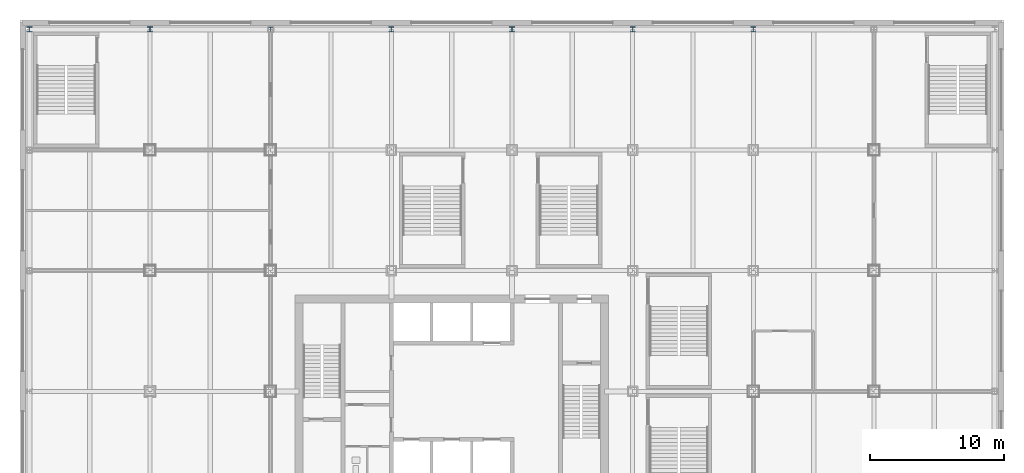
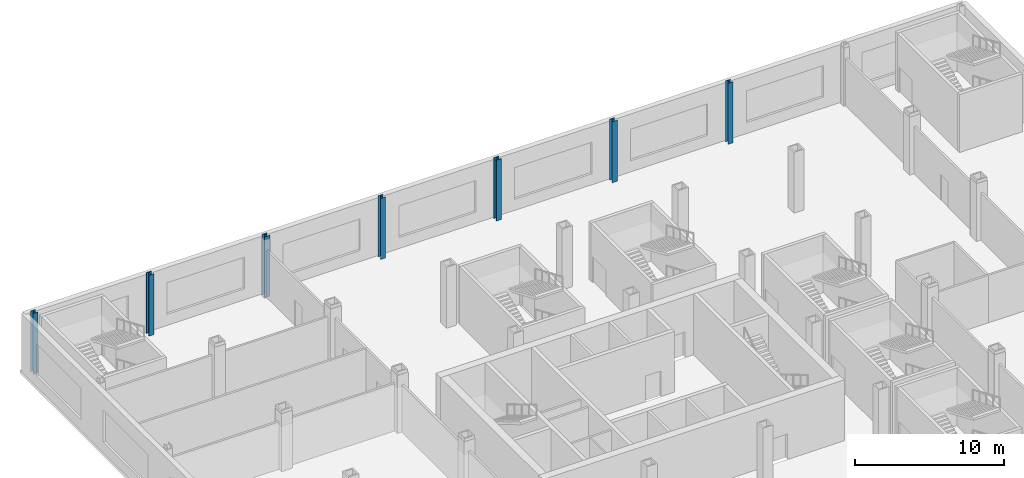
# One storey, part 7 of 28: 7 columns.
"""IFC4 building model written with IfcOpenShell, lengths in metres."""

from ifc_helpers import new_model, si_unit, direction, frame, origin, origin_2d, place, context, subcontext, project, spatial, i_section, extrude, material, material_profile, profile_set, type_object, element, save


model = new_model("IFC4")

# Units and contexts
model_context = context("Model", 3, precision=1e-05, world=origin(), true_north=direction((0.0, 1.0)))
body_context = subcontext(model_context, "Body", "Model", "MODEL_VIEW")
ifc_project = project(units=[si_unit("LENGTHUNIT", "METRE"), si_unit("AREAUNIT", "SQUARE_METRE"), si_unit("VOLUMEUNIT", "CUBIC_METRE"), si_unit("PLANEANGLEUNIT", "RADIAN"), si_unit("MASSUNIT", "GRAM", prefix="KILO")], contexts=[model_context])

# Site, building, storey
site_placement = place(None, origin())
site = spatial("IfcSite", under=ifc_project, at=site_placement, CompositionType="ELEMENT")
building_placement = place(site_placement, origin())
building = spatial("IfcBuilding", under=site, at=building_placement, Name="Loomwork Tower", CompositionType="ELEMENT")
storey_placement = place(building_placement, frame((0.0, 0.0, 6.0)))
storey = spatial("IfcBuildingStorey", under=building, at=storey_placement, Name="L01", CompositionType="ELEMENT", Elevation=6.0)

# Columns
ifc_material = material(Name="Steel ASTM A992", Category="steel")
ifc_material_profile = material_profile(ifc_material, i_section(OverallWidth=0.393798828125, OverallDepth=0.3759765625, WebThickness=0.017333984375, FlangeThickness=0.027587890625, at=origin_2d()), Name="W14x145")
ifc_profile_set = profile_set([ifc_material_profile], Name="Steel ASTM A992")
column_type = type_object("IfcColumnType", Name="PODIUM COLUMN W14x145", PredefinedType="COLUMN", material=ifc_profile_set)
for number, where, z_axis, x_axis, name in (
    (1, (-9.0, 45.0, 0.0), (0.0, 0.0, 1.0), (1.0, 0.0, 0.0), "Podium Column J/1 L01"),
    (2, (0.0, 45.0, 0.0), (0.0, 0.0, 1.0), (1.0, 0.0, 0.0), "Podium Column J/2 L01"),
    (3, (9.0, 45.0, 0.0), (0.0, 0.0, 1.0), (1.0, 0.0, 0.0), "Podium Column J/3 L01"),
    (4, (18.0, 45.0, 0.0), (0.0, 0.0, 1.0), (1.0, 0.0, 0.0), "Podium Column J/4 L01"),
    (5, (27.0, 45.0, 0.0), (0.0, 0.0, 1.0), (1.0, 0.0, 0.0), "Podium Column J/5 L01"),
    (6, (36.0, 45.0, 0.0), (0.0, 0.0, 1.0), (1.0, 0.0, 0.0), "Podium Column J/6 L01"),
    (7, (45.0, 45.0, 0.0), (0.0, 0.0, 1.0), (1.0, 0.0, 0.0), "Podium Column J/7 L01"),
):
    element("IfcColumn", number, at=place(storey_placement, frame(where, z_axis=z_axis, x_axis=x_axis)), inside=storey, type_object=column_type, Name=name, PredefinedType="COLUMN", context=body_context, shape_type="SweptSolid", body=[
        extrude(i_section(OverallWidth=0.393798828125, OverallDepth=0.3759765625, WebThickness=0.017333984375, FlangeThickness=0.027587890625, at=origin_2d()), origin(), (0.0, 0.0, 1.0), 5.0),
    ])

save(model, "model.ifc")
